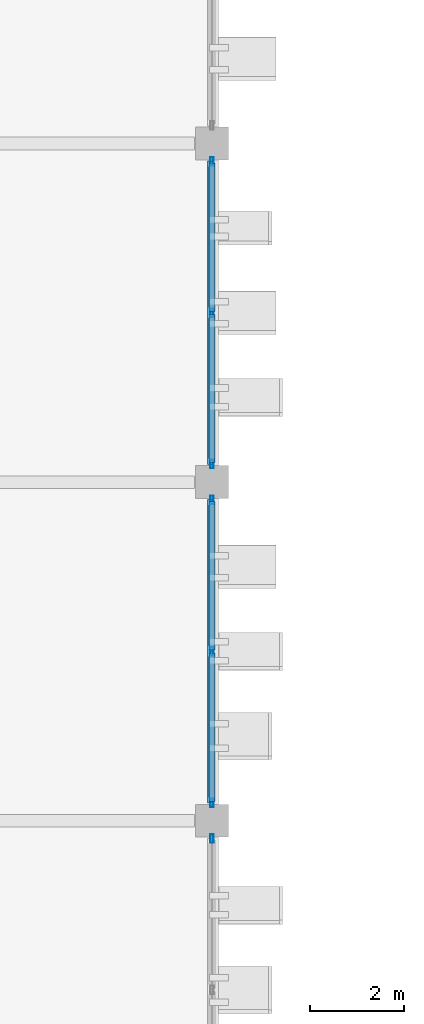
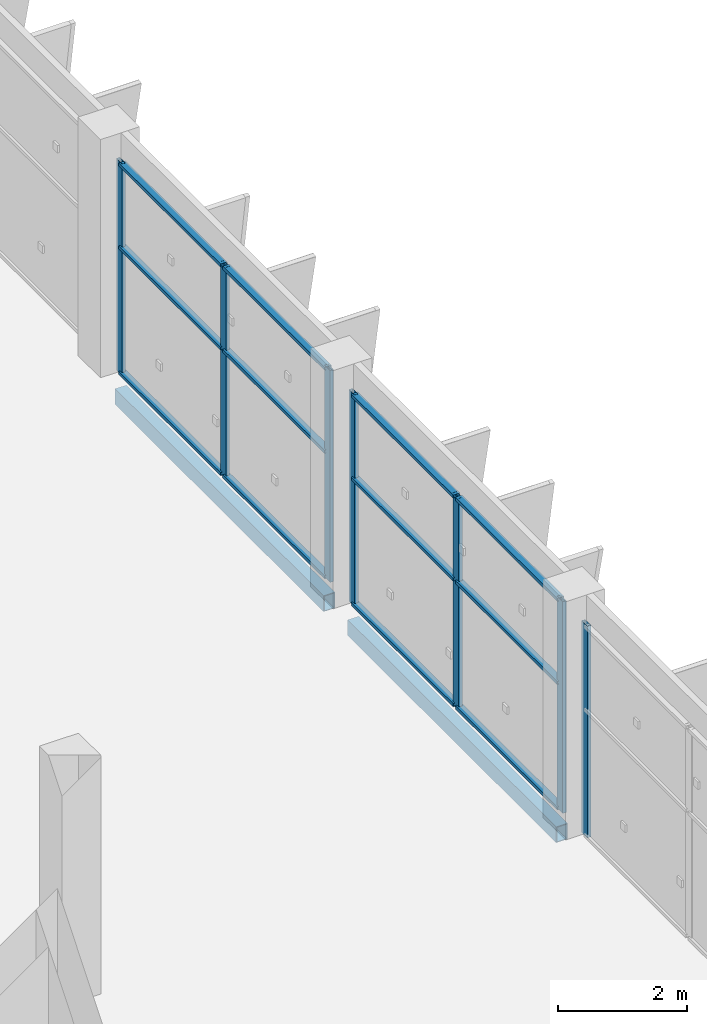
# One storey, part 52 of 151: 19 members, 2 beams, 3 elements without a shape of their own.
"""IFC4 building model written with IfcOpenShell, lengths in metres."""

from ifc_helpers import new_model, si_unit, direction, frame, origin, origin_2d, place, context, subcontext, project, spatial, hollow_rectangle, extrude, material, layer, layer_set, material_profile, profile_set, type_object, element, aggregate, save


model = new_model("IFC4")

# Units and contexts
model_context = context("Model", 3, precision=1e-05, world=origin(), true_north=direction((0.0, 1.0)))
body_context = subcontext(model_context, "Body", "Model", "MODEL_VIEW")
ifc_project = project(units=[si_unit("LENGTHUNIT", "METRE"), si_unit("AREAUNIT", "SQUARE_METRE"), si_unit("VOLUMEUNIT", "CUBIC_METRE"), si_unit("PLANEANGLEUNIT", "RADIAN"), si_unit("MASSUNIT", "GRAM", prefix="KILO")], contexts=[model_context])

# Site, building, storey
site_placement = place(None, origin())
site = spatial("IfcSite", under=ifc_project, at=site_placement, CompositionType="ELEMENT")
building_placement = place(site_placement, origin())
building = spatial("IfcBuilding", under=site, at=building_placement, Name="Celestram Park Convention Centre", CompositionType="ELEMENT")
storey_placement = place(building_placement, frame((0.0, 0.0, 10.800048828125)))
storey = spatial("IfcBuildingStorey", under=building, at=storey_placement, Name="L02", CompositionType="ELEMENT", Elevation=10.800048828125)

# Curtain wall, members
ifc_material_1 = material(Name="Anodised Aluminium Alloy 6063-T6", Category="aluminium")
ifc_layer = layer(ifc_material_1, 0.179931640625)
ifc_layer_set = layer_set([ifc_layer], Name="Anodised Aluminium Alloy 6063-T6")
curtain_wall_type = type_object("IfcCurtainWallType", Name="ARC-CW-650X400", PredefinedType="NOTDEFINED", material=ifc_layer_set)
curtain_wall_1_placement = place(storey_placement, origin())
curtain_wall_1 = element("IfcCurtainWall", 1, at=curtain_wall_1_placement, inside=storey, type_object=curtain_wall_type, Name="Unitised curtain wall CU-L02-187", PredefinedType="NOTDEFINED")
ifc_material_profile_1 = material_profile(ifc_material_1, hollow_rectangle(XDim=0.06494140625, YDim=0.179931640625, WallThickness=0.00390625, at=origin_2d()), Name="ALU65X180X4")
ifc_profile_set_1 = profile_set([ifc_material_profile_1], Name="Anodised Aluminium Alloy 6063-T6")
member_type_1 = type_object("IfcMemberType", Name="ARC-CWM-150", PredefinedType="MULLION", material=ifc_profile_set_1)
member_1_placement = place(storey_placement, frame((144.0, 78.819580078125, 0.0), z_axis=(0.0, 0.0, 1.0), x_axis=(1.0, 0.0, 0.0)))
member_1 = element("IfcMember", 2, at=member_1_placement, type_object=member_type_1, Name="CW-65X40 mullion 1", PredefinedType="MULLION", context=body_context, shape_type="SweptSolid", body=[
    extrude(hollow_rectangle(XDim=0.06494140625, YDim=0.179931640625, WallThickness=0.00390625, at=origin_2d()), origin(), (0.0, 0.0, 1.0), 4.0),
])
member_2_placement = place(storey_placement, frame((144.0, 75.60009765625, 0.0), z_axis=(0.0, 0.0, 1.0), x_axis=(1.0, 0.0, 0.0)))
member_2 = element("IfcMember", 3, at=member_2_placement, type_object=member_type_1, Name="CW-65X40 mullion 2", PredefinedType="MULLION", context=body_context, shape_type="SweptSolid", body=[
    extrude(hollow_rectangle(XDim=0.06494140625, YDim=0.179931640625, WallThickness=0.00390625, at=origin_2d()), origin(), (0.0, 0.0, 1.0), 4.0),
])
member_3_placement = place(storey_placement, frame((144.0, 72.380615234375, 0.0), z_axis=(0.0, 0.0, 1.0), x_axis=(1.0, 0.0, 0.0)))
member_3 = element("IfcMember", 4, at=member_3_placement, type_object=member_type_1, Name="CW-65X40 mullion 3", PredefinedType="MULLION", context=body_context, shape_type="SweptSolid", body=[
    extrude(hollow_rectangle(XDim=0.06494140625, YDim=0.179931640625, WallThickness=0.00390625, at=origin_2d()), origin(), (0.0, 0.0, 1.0), 4.0),
])

curtain_wall_2_placement = place(storey_placement, origin())
curtain_wall_2 = element("IfcCurtainWall", 5, at=curtain_wall_2_placement, inside=storey, type_object=curtain_wall_type, Name="Unitised curtain wall CU-L02-188", PredefinedType="NOTDEFINED")
member_4_placement = place(storey_placement, frame((144.0, 71.619384765625, 0.0), z_axis=(0.0, 0.0, 1.0), x_axis=(1.0, 0.0, 0.0)))
member_4 = element("IfcMember", 6, at=member_4_placement, type_object=member_type_1, Name="CW-65X40 mullion 1", PredefinedType="MULLION", context=body_context, shape_type="SweptSolid", body=[
    extrude(hollow_rectangle(XDim=0.06494140625, YDim=0.179931640625, WallThickness=0.00390625, at=origin_2d()), origin(), (0.0, 0.0, 1.0), 4.0),
])
member_5_placement = place(storey_placement, frame((144.0, 68.39990234375, 0.0), z_axis=(0.0, 0.0, 1.0), x_axis=(1.0, 0.0, 0.0)))
member_5 = element("IfcMember", 7, at=member_5_placement, type_object=member_type_1, Name="CW-65X40 mullion 2", PredefinedType="MULLION", context=body_context, shape_type="SweptSolid", body=[
    extrude(hollow_rectangle(XDim=0.06494140625, YDim=0.179931640625, WallThickness=0.00390625, at=origin_2d()), origin(), (0.0, 0.0, 1.0), 4.0),
])
member_6_placement = place(storey_placement, frame((144.0, 65.180419921875, 0.0), z_axis=(0.0, 0.0, 1.0), x_axis=(1.0, 0.0, 0.0)))
member_6 = element("IfcMember", 8, at=member_6_placement, type_object=member_type_1, Name="CW-65X40 mullion 3", PredefinedType="MULLION", context=body_context, shape_type="SweptSolid", body=[
    extrude(hollow_rectangle(XDim=0.06494140625, YDim=0.179931640625, WallThickness=0.00390625, at=origin_2d()), origin(), (0.0, 0.0, 1.0), 4.0),
])

# Curtain wall, member
curtain_wall_3_placement = place(storey_placement, origin())
curtain_wall_3 = element("IfcCurtainWall", 9, at=curtain_wall_3_placement, inside=storey, type_object=curtain_wall_type, Name="Unitised curtain wall CU-L02-189", PredefinedType="NOTDEFINED")
member_7_placement = place(storey_placement, frame((144.0, 64.41943359375, 0.0), z_axis=(0.0, 0.0, 1.0), x_axis=(1.0, 0.0, 0.0)))
member_7 = element("IfcMember", 10, at=member_7_placement, type_object=member_type_1, Name="CW-65X40 mullion 1", PredefinedType="MULLION", context=body_context, shape_type="SweptSolid", body=[
    extrude(hollow_rectangle(XDim=0.06494140625, YDim=0.179931640625, WallThickness=0.00390625, at=origin_2d()), origin(), (0.0, 0.0, 1.0), 4.0),
])
aggregate(curtain_wall_3, [member_7])

# Member
ifc_material_profile_2 = material_profile(ifc_material_1, hollow_rectangle(XDim=0.1201171875, YDim=0.06005859375, WallThickness=0.0029296875, at=origin_2d()), Name="ALU120X60X3")
ifc_profile_set_2 = profile_set([ifc_material_profile_2], Name="Anodised Aluminium Alloy 6063-T6")
member_type_2 = type_object("IfcMemberType", Name="ARC-CWT-120", PredefinedType="USERDEFINED", material=ifc_profile_set_2)
member_8_placement = place(storey_placement, frame((144.0, 78.787109375, 0.030029296875), z_axis=(0.0, -1.0, 0.0), x_axis=(1.0, 0.0, 0.0)))
member_8 = element("IfcMember", 11, at=member_8_placement, type_object=member_type_2, Name="CW-65X40 transom 1.1", ObjectType="TRANSOM", PredefinedType="USERDEFINED", context=body_context, shape_type="SweptSolid", body=[
    extrude(hollow_rectangle(XDim=0.1201171875, YDim=0.06005859375, WallThickness=0.0029296875, at=origin_2d()), origin(), (0.0, 0.0, 1.0), 3.154541015625),
])

member_9_placement = place(storey_placement, frame((144.0, 78.787109375, 2.39990234375), z_axis=(0.0, -1.0, 0.0), x_axis=(1.0, 0.0, 0.0)))
member_9 = element("IfcMember", 12, at=member_9_placement, type_object=member_type_2, Name="CW-65X40 transom 1.2", ObjectType="TRANSOM", PredefinedType="USERDEFINED", context=body_context, shape_type="SweptSolid", body=[
    extrude(hollow_rectangle(XDim=0.1201171875, YDim=0.06005859375, WallThickness=0.0029296875, at=origin_2d()), origin(), (0.0, 0.0, 1.0), 3.154541015625),
])

member_10_placement = place(storey_placement, frame((144.0, 78.787109375, 3.969970703125), z_axis=(0.0, -1.0, 0.0), x_axis=(1.0, 0.0, 0.0)))
member_10 = element("IfcMember", 13, at=member_10_placement, type_object=member_type_2, Name="CW-65X40 transom 1.3", ObjectType="TRANSOM", PredefinedType="USERDEFINED", context=body_context, shape_type="SweptSolid", body=[
    extrude(hollow_rectangle(XDim=0.1201171875, YDim=0.06005859375, WallThickness=0.0029296875, at=origin_2d()), origin(), (0.0, 0.0, 1.0), 3.154541015625),
])

member_11_placement = place(storey_placement, frame((144.0, 75.5673828125, 0.030029296875), z_axis=(0.0, -1.0, 0.0), x_axis=(1.0, 0.0, 0.0)))
member_11 = element("IfcMember", 14, at=member_11_placement, type_object=member_type_2, Name="CW-65X40 transom 2.1", ObjectType="TRANSOM", PredefinedType="USERDEFINED", context=body_context, shape_type="SweptSolid", body=[
    extrude(hollow_rectangle(XDim=0.1201171875, YDim=0.06005859375, WallThickness=0.0029296875, at=origin_2d()), origin(), (0.0, 0.0, 1.0), 3.154296875),
])

member_12_placement = place(storey_placement, frame((144.0, 75.5673828125, 2.39990234375), z_axis=(0.0, -1.0, 0.0), x_axis=(1.0, 0.0, 0.0)))
member_12 = element("IfcMember", 15, at=member_12_placement, type_object=member_type_2, Name="CW-65X40 transom 2.2", ObjectType="TRANSOM", PredefinedType="USERDEFINED", context=body_context, shape_type="SweptSolid", body=[
    extrude(hollow_rectangle(XDim=0.1201171875, YDim=0.06005859375, WallThickness=0.0029296875, at=origin_2d()), origin(), (0.0, 0.0, 1.0), 3.154296875),
])

member_13_placement = place(storey_placement, frame((144.0, 75.5673828125, 3.969970703125), z_axis=(0.0, -1.0, 0.0), x_axis=(1.0, 0.0, 0.0)))
member_13 = element("IfcMember", 16, at=member_13_placement, type_object=member_type_2, Name="CW-65X40 transom 2.3", ObjectType="TRANSOM", PredefinedType="USERDEFINED", context=body_context, shape_type="SweptSolid", body=[
    extrude(hollow_rectangle(XDim=0.1201171875, YDim=0.06005859375, WallThickness=0.0029296875, at=origin_2d()), origin(), (0.0, 0.0, 1.0), 3.154296875),
])

aggregate(curtain_wall_1, [member_1, member_2, member_3, member_8, member_9, member_10, member_11, member_12, member_13])

member_14_placement = place(storey_placement, frame((144.0, 71.5869140625, 0.030029296875), z_axis=(0.0, -1.0, 0.0), x_axis=(1.0, 0.0, 0.0)))
member_14 = element("IfcMember", 17, at=member_14_placement, type_object=member_type_2, Name="CW-65X40 transom 1.1", ObjectType="TRANSOM", PredefinedType="USERDEFINED", context=body_context, shape_type="SweptSolid", body=[
    extrude(hollow_rectangle(XDim=0.1201171875, YDim=0.06005859375, WallThickness=0.0029296875, at=origin_2d()), origin(), (0.0, 0.0, 1.0), 3.154296875),
])

member_15_placement = place(storey_placement, frame((144.0, 71.5869140625, 2.39990234375), z_axis=(0.0, -1.0, 0.0), x_axis=(1.0, 0.0, 0.0)))
member_15 = element("IfcMember", 18, at=member_15_placement, type_object=member_type_2, Name="CW-65X40 transom 1.2", ObjectType="TRANSOM", PredefinedType="USERDEFINED", context=body_context, shape_type="SweptSolid", body=[
    extrude(hollow_rectangle(XDim=0.1201171875, YDim=0.06005859375, WallThickness=0.0029296875, at=origin_2d()), origin(), (0.0, 0.0, 1.0), 3.154296875),
])

member_16_placement = place(storey_placement, frame((144.0, 71.5869140625, 3.969970703125), z_axis=(0.0, -1.0, 0.0), x_axis=(1.0, 0.0, 0.0)))
member_16 = element("IfcMember", 19, at=member_16_placement, type_object=member_type_2, Name="CW-65X40 transom 1.3", ObjectType="TRANSOM", PredefinedType="USERDEFINED", context=body_context, shape_type="SweptSolid", body=[
    extrude(hollow_rectangle(XDim=0.1201171875, YDim=0.06005859375, WallThickness=0.0029296875, at=origin_2d()), origin(), (0.0, 0.0, 1.0), 3.154296875),
])

member_17_placement = place(storey_placement, frame((144.0, 68.367431640625, 0.030029296875), z_axis=(0.0, -1.0, 0.0), x_axis=(1.0, 0.0, 0.0)))
member_17 = element("IfcMember", 20, at=member_17_placement, type_object=member_type_2, Name="CW-65X40 transom 2.1", ObjectType="TRANSOM", PredefinedType="USERDEFINED", context=body_context, shape_type="SweptSolid", body=[
    extrude(hollow_rectangle(XDim=0.1201171875, YDim=0.06005859375, WallThickness=0.0029296875, at=origin_2d()), origin(), (0.0, 0.0, 1.0), 3.154541015625),
])

member_18_placement = place(storey_placement, frame((144.0, 68.367431640625, 2.39990234375), z_axis=(0.0, -1.0, 0.0), x_axis=(1.0, 0.0, 0.0)))
member_18 = element("IfcMember", 21, at=member_18_placement, type_object=member_type_2, Name="CW-65X40 transom 2.2", ObjectType="TRANSOM", PredefinedType="USERDEFINED", context=body_context, shape_type="SweptSolid", body=[
    extrude(hollow_rectangle(XDim=0.1201171875, YDim=0.06005859375, WallThickness=0.0029296875, at=origin_2d()), origin(), (0.0, 0.0, 1.0), 3.154541015625),
])

member_19_placement = place(storey_placement, frame((144.0, 68.367431640625, 3.969970703125), z_axis=(0.0, -1.0, 0.0), x_axis=(1.0, 0.0, 0.0)))
member_19 = element("IfcMember", 22, at=member_19_placement, type_object=member_type_2, Name="CW-65X40 transom 2.3", ObjectType="TRANSOM", PredefinedType="USERDEFINED", context=body_context, shape_type="SweptSolid", body=[
    extrude(hollow_rectangle(XDim=0.1201171875, YDim=0.06005859375, WallThickness=0.0029296875, at=origin_2d()), origin(), (0.0, 0.0, 1.0), 3.154541015625),
])

aggregate(curtain_wall_2, [member_4, member_5, member_6, member_14, member_15, member_16, member_17, member_18, member_19])

# Beams
ifc_material_2 = material(Name="Steel ASTM A500 Grade C", Category="steel")
ifc_material_profile_3 = material_profile(ifc_material_2, hollow_rectangle(XDim=0.199951171875, YDim=0.300048828125, WallThickness=0.011962890625, at=origin_2d()), Name="HSS300X200X12")
ifc_profile_set_3 = profile_set([ifc_material_profile_3], Name="Steel ASTM A500 Grade C")
beam_type = type_object("IfcBeamType", Name="STR-SPN-HSS300X200", PredefinedType="SPANDREL", material=ifc_profile_set_3)
for number, where, z_axis, x_axis, name in (
    (23, (144.0, 65.173095703125, -0.429931640625), (0.0, 1.0, 0.0), (-1.0, 0.0, 0.0), "Primary Y-girder BG-L02-0247"),
    (24, (144.0, 72.373046875, -0.429931640625), (0.0, 1.0, 0.0), (-1.0, 0.0, 0.0), "Primary Y-girder BG-L02-0248"),
):
    element("IfcBeam", number, at=place(storey_placement, frame(where, z_axis=z_axis, x_axis=x_axis)), inside=storey, type_object=beam_type, Name=name, PredefinedType="SPANDREL", context=body_context, shape_type="SweptSolid", body=[
        extrude(hollow_rectangle(XDim=0.199951171875, YDim=0.300048828125, WallThickness=0.011962890625, at=origin_2d()), origin(), (0.0, 0.0, 1.0), 6.453857421875),
    ])

save(model, "model.ifc")
